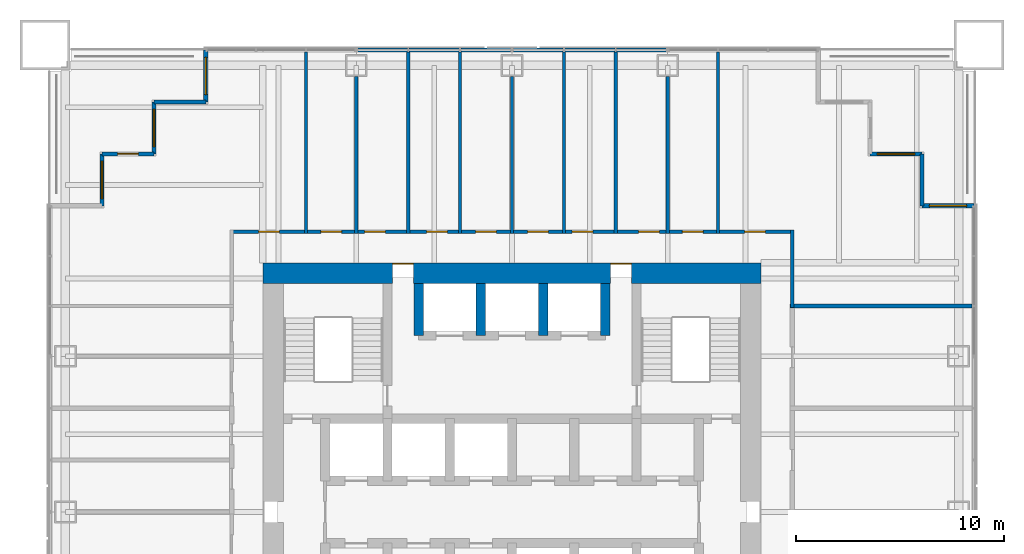
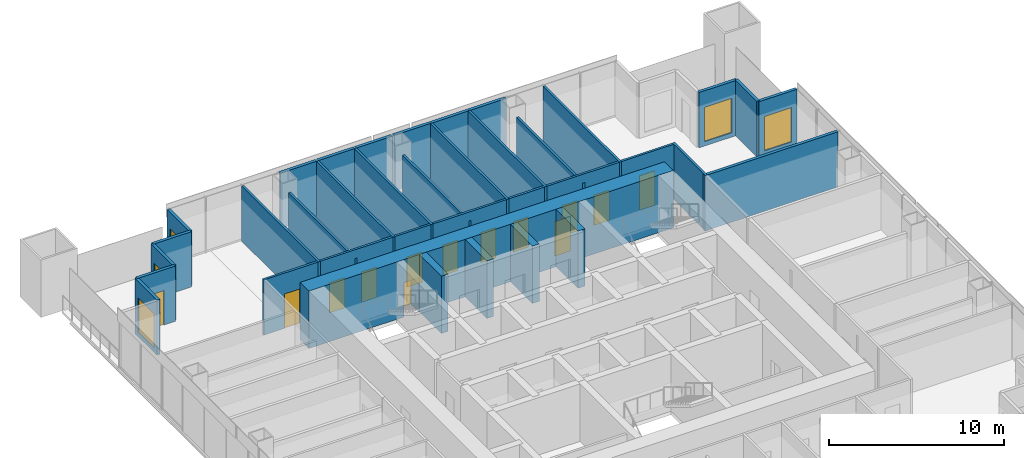
# One storey, part 11 of 14: 31 walls, 13 doors, 5 windows, 18 openings.
"""IFC4 building model written with IfcOpenShell, lengths in metres."""

from ifc_helpers import new_model, si_unit, direction, frame, frame_2d, origin, place, context, subcontext, project, spatial, rectangle, extrude, material, layer, layer_set, type_object, element, fill, save


model = new_model("IFC4")

# Units and contexts
model_context = context("Model", 3, precision=1e-05, world=origin(), true_north=direction((0.0, 1.0)))
body_context = subcontext(model_context, "Body", "Model", "MODEL_VIEW")
ifc_project = project(units=[si_unit("LENGTHUNIT", "METRE"), si_unit("AREAUNIT", "SQUARE_METRE"), si_unit("VOLUMEUNIT", "CUBIC_METRE"), si_unit("PLANEANGLEUNIT", "RADIAN"), si_unit("MASSUNIT", "GRAM", prefix="KILO")], contexts=[model_context])

# Site, building, storey
site_placement = place(None, origin())
site = spatial("IfcSite", under=ifc_project, at=site_placement, CompositionType="ELEMENT")
building_placement = place(site_placement, origin())
building = spatial("IfcBuilding", under=site, at=building_placement, Name="Tarangal Relay Tower", CompositionType="ELEMENT")
storey_placement = place(building_placement, frame((0.0, 0.0, 229.89990234375)))
storey = spatial("IfcBuildingStorey", under=building, at=storey_placement, Name="L49", CompositionType="ELEMENT", Elevation=229.89990234375)

# Walls
ifc_material_1 = material(Name="Two layers gypsum board each side on twin steel studs, mineral wool", Category="steel")
ifc_layer_1 = layer(ifc_material_1, 0.199951171875)
ifc_layer_set_1 = layer_set([ifc_layer_1], Name="Acoustic partition 200")
wall_type_1 = type_object("IfcWallType", Name="Acoustic partition 200", PredefinedType="PARTITIONING", material=ifc_layer_set_1)
wall_1_placement = place(storey_placement, frame((13.39990234375, 9.9169921875, 0.0), z_axis=(0.0, 0.0, 1.0), x_axis=(1.0, 0.0, 0.0)))
element("IfcWall", 1, at=wall_1_placement, inside=storey, type_object=wall_type_1, Name="Partition PT2 L49", PredefinedType="PARTITIONING", context=body_context, shape_type="SweptSolid", body=[
    extrude(rectangle(XDim=8.75, YDim=0.199951171875, at=frame_2d((4.375, 0.0))), origin(), (0.0, 0.0, 1.0), 3.85009765625),
])
ifc_material_2 = material(Name="Concrete fc' 60 MPa", Category="concrete")
ifc_layer_2 = layer(ifc_material_2, 0.449951171875)
ifc_layer_set_2 = layer_set([ifc_layer_2], Name="Core inner wall 450")
wall_type_2 = type_object("IfcWallType", Name="Core inner wall 450", PredefinedType="SHEAR", material=ifc_layer_set_2)
for number, where, z_axis, x_axis, name in (
    (2, (-4.5, 8.5, 0.0), (0.0, 0.0, 1.0), (0.0, 1.0, 0.0), "Core wall XM45 L49"),
    (3, (4.5, 8.5, 0.0), (0.0, 0.0, 1.0), (0.0, 1.0, 0.0), "Core wall X45 L49"),
    (4, (-1.5, 8.5, 0.0), (0.0, 0.0, 1.0), (0.0, 1.0, 0.0), "Core wall XM15 L49"),
    (5, (1.5, 8.5, 0.0), (0.0, 0.0, 1.0), (0.0, 1.0, 0.0), "Core wall X15 L49"),
):
    element("IfcWall", number, at=place(storey_placement, frame(where, z_axis=z_axis, x_axis=x_axis)), inside=storey, type_object=wall_type_2, Name=name, PredefinedType="SHEAR", context=body_context, shape_type="SweptSolid", body=[
        extrude(rectangle(XDim=2.5, YDim=0.449951171875, at=frame_2d((1.25, 0.0))), origin(), (0.0, 0.0, 1.0), 4.0),
    ])

# Wall, openings, doors
ifc_layer_3 = layer(ifc_material_2, 1.0)
ifc_layer_set_3 = layer_set([ifc_layer_3], Name="Core wall 1000")
wall_type_3 = type_object("IfcWallType", Name="Core wall 1000", PredefinedType="SHEAR", material=ifc_layer_set_3)
wall_2_placement = place(storey_placement, frame((-12.0, 11.5, 0.0), z_axis=(0.0, 0.0, 1.0), x_axis=(1.0, 0.0, 0.0)))
wall_2 = element("IfcWall", 6, at=wall_2_placement, inside=storey, type_object=wall_type_3, Name="Core wall N L49", PredefinedType="SHEAR", context=body_context, shape_type="SweptSolid", body=[
    extrude(rectangle(XDim=24.0, YDim=1.0, at=frame_2d((12.0, 0.0))), origin(), (0.0, 0.0, 1.0), 4.0),
])
opening_1_placement = place(wall_2_placement, frame((6.25, 0.0, 0.0)))
opening_1 = element("IfcOpeningElement", 7, at=opening_1_placement, cuts=wall_2, Name="Opening FD3", PredefinedType="OPENING", context=body_context, shape_type="SweptSolid", body=[
    extrude(rectangle(XDim=1.0, YDim=2.39990234375, at=frame_2d((0.5, 1.199951171875))), frame((0.0, 0.510009765625, 0.0), z_axis=(0.0, -1.0, 0.0), x_axis=(1.0, 0.0, 0.0)), (0.0, 0.0, 1.0), 1.02001953125),
])
opening_2_placement = place(wall_2_placement, frame((16.75, 0.0, 0.0)))
opening_2 = element("IfcOpeningElement", 8, at=opening_2_placement, cuts=wall_2, Name="Opening FD3", PredefinedType="OPENING", context=body_context, shape_type="SweptSolid", body=[
    extrude(rectangle(XDim=1.0, YDim=2.39990234375, at=frame_2d((0.5, 1.199951171875))), frame((0.0, 0.510009765625, 0.0), z_axis=(0.0, -1.0, 0.0), x_axis=(1.0, 0.0, 0.0)), (0.0, 0.0, 1.0), 1.02001953125),
])
ifc_material_3 = material(Name="Steel door with hardwood frame", Category="steel")
door_type_1 = type_object("IfcDoorType", Name="Fire door 1000 x 2400 core entry", OperationType="SINGLE_SWING_RIGHT", PredefinedType="DOOR", material=ifc_material_3)
door_1_placement = place(opening_1_placement, origin())
door_1 = element("IfcDoor", 9, at=door_1_placement, inside=storey, type_object=door_type_1, Name="Core entry door north west L49", OperationType="SINGLE_SWING_RIGHT", OverallHeight=2.39990234375, OverallWidth=1.0, PredefinedType="DOOR", context=body_context, shape_type="SweptSolid", body=[
    extrude(rectangle(XDim=1.0, YDim=2.39990234375, at=frame_2d((0.5, 1.199951171875))), frame((0.0, 0.48486328125, 0.0), z_axis=(0.0, -1.0, 0.0), x_axis=(1.0, 0.0, 0.0)), (0.0, 0.0, 1.0), 0.050048828125),
])
fill(opening_1, door_1)
door_2_placement = place(opening_2_placement, origin())
door_2 = element("IfcDoor", 10, at=door_2_placement, inside=storey, type_object=door_type_1, Name="Core entry door north east L49", OperationType="SINGLE_SWING_RIGHT", OverallHeight=2.39990234375, OverallWidth=1.0, PredefinedType="DOOR", context=body_context, shape_type="SweptSolid", body=[
    extrude(rectangle(XDim=1.0, YDim=2.39990234375, at=frame_2d((0.5, 1.199951171875))), frame((0.0, 0.48486328125, 0.0), z_axis=(0.0, -1.0, 0.0), x_axis=(1.0, 0.0, 0.0)), (0.0, 0.0, 1.0), 0.050048828125),
])
fill(opening_2, door_2)

# Wall, opening, window
ifc_material_4 = material(Name="Black metal clad insulated wall", Category="steel")
ifc_layer_4 = layer(ifc_material_4, 0.199951171875)
ifc_layer_set_4 = layer_set([ifc_layer_4], Name="Corner wall metal clad 200")
wall_type_4 = type_object("IfcWallType", Name="Corner wall metal clad 200", PredefinedType="SOLIDWALL", material=ifc_layer_set_4)
wall_3_placement = place(storey_placement, frame((17.25, 17.25, 0.0), z_axis=(0.0, 0.0, 1.0), x_axis=(1.0, 0.0, 0.0)))
wall_3 = element("IfcWall", 11, at=wall_3_placement, inside=storey, type_object=wall_type_4, Name="Facade wall N facade L49", PredefinedType="SOLIDWALL", context=body_context, shape_type="SweptSolid", body=[
    extrude(rectangle(XDim=2.5, YDim=0.199951171875, at=frame_2d((1.25, 0.0))), origin(), (0.0, 0.0, 1.0), 3.85009765625),
])
opening_3_placement = place(wall_3_placement, frame((0.35009765625, 0.0, 0.300048828125)))
opening_3 = element("IfcOpeningElement", 12, at=opening_3_placement, cuts=wall_3, Name="Opening WN2", PredefinedType="OPENING", context=body_context, shape_type="SweptSolid", body=[
    extrude(rectangle(XDim=1.800048828125, YDim=2.39990234375, at=frame_2d((0.89990234375, 1.199951171875))), frame((0.0, 0.10986328125, 0.0), z_axis=(0.0, -1.0, 0.0), x_axis=(1.0, 0.0, 0.0)), (0.0, 0.0, 1.0), 0.219970703125),
])
ifc_material_5 = material(Name="Dark tinted double glazing in black aluminium frame", Category="aluminium")
window_type = type_object("IfcWindowType", Name="Corner window 1800 x 2400", PartitioningType="SINGLE_PANEL", PredefinedType="WINDOW", material=ifc_material_5)
window_1_placement = place(opening_3_placement, origin())
window_1 = element("IfcWindow", 13, at=window_1_placement, inside=storey, type_object=window_type, Name="Corner window WN2 N facade L49", OverallHeight=2.39990234375, OverallWidth=1.800048828125, PartitioningType="SINGLE_PANEL", PredefinedType="WINDOW", context=body_context, shape_type="SweptSolid", body=[
    extrude(rectangle(XDim=1.800048828125, YDim=2.39990234375, at=frame_2d((0.89990234375, 1.199951171875))), frame((0.0, 0.030029296875, 0.0), z_axis=(0.0, -1.0, 0.0), x_axis=(1.0, 0.0, 0.0)), (0.0, 0.0, 1.0), 0.06005859375),
])
fill(opening_3, window_1)

# Wall
wall_4_placement = place(storey_placement, frame((19.75, 17.25, 0.0), z_axis=(0.0, 0.0, 1.0), x_axis=(0.0, -1.0, 0.0)))
element("IfcWall", 14, at=wall_4_placement, inside=storey, type_object=wall_type_4, Name="Facade wall N facade L49", PredefinedType="SOLIDWALL", context=body_context, shape_type="SweptSolid", body=[
    extrude(rectangle(XDim=2.5, YDim=0.199951171875, at=frame_2d((1.25, 0.0))), origin(), (0.0, 0.0, 1.0), 3.85009765625),
])

# Wall, opening, window
wall_5_placement = place(storey_placement, frame((19.75, 14.75, 0.0), z_axis=(0.0, 0.0, 1.0), x_axis=(1.0, 0.0, 0.0)))
wall_5 = element("IfcWall", 15, at=wall_5_placement, inside=storey, type_object=wall_type_4, Name="Facade wall N facade L49", PredefinedType="SOLIDWALL", context=body_context, shape_type="SweptSolid", body=[
    extrude(rectangle(XDim=2.5, YDim=0.199951171875, at=frame_2d((1.25, 0.0))), origin(), (0.0, 0.0, 1.0), 3.85009765625),
])
opening_4_placement = place(wall_5_placement, frame((0.35009765625, 0.0, 0.300048828125)))
opening_4 = element("IfcOpeningElement", 16, at=opening_4_placement, cuts=wall_5, Name="Opening WN2", PredefinedType="OPENING", context=body_context, shape_type="SweptSolid", body=[
    extrude(rectangle(XDim=1.800048828125, YDim=2.39990234375, at=frame_2d((0.89990234375, 1.199951171875))), frame((0.0, 0.10986328125, 0.0), z_axis=(0.0, -1.0, 0.0), x_axis=(1.0, 0.0, 0.0)), (0.0, 0.0, 1.0), 0.219970703125),
])
window_2_placement = place(opening_4_placement, origin())
window_2 = element("IfcWindow", 17, at=window_2_placement, inside=storey, type_object=window_type, Name="Corner window WN2 N facade L49", OverallHeight=2.39990234375, OverallWidth=1.800048828125, PartitioningType="SINGLE_PANEL", PredefinedType="WINDOW", context=body_context, shape_type="SweptSolid", body=[
    extrude(rectangle(XDim=1.800048828125, YDim=2.39990234375, at=frame_2d((0.89990234375, 1.199951171875))), frame((0.0, 0.030029296875, 0.0), z_axis=(0.0, -1.0, 0.0), x_axis=(1.0, 0.0, 0.0)), (0.0, 0.0, 1.0), 0.06005859375),
])
fill(opening_4, window_2)

wall_6_placement = place(storey_placement, frame((-19.75, 14.75, 0.0), z_axis=(0.0, 0.0, 1.0), x_axis=(0.0, 1.0, 0.0)))
wall_6 = element("IfcWall", 18, at=wall_6_placement, inside=storey, type_object=wall_type_4, Name="Facade wall W facade L49", PredefinedType="SOLIDWALL", context=body_context, shape_type="SweptSolid", body=[
    extrude(rectangle(XDim=2.5, YDim=0.199951171875, at=frame_2d((1.25, 0.0))), origin(), (0.0, 0.0, 1.0), 3.85009765625),
])
opening_5_placement = place(wall_6_placement, frame((0.35009765625, 0.0, 0.300048828125)))
opening_5 = element("IfcOpeningElement", 19, at=opening_5_placement, cuts=wall_6, Name="Opening WN2", PredefinedType="OPENING", context=body_context, shape_type="SweptSolid", body=[
    extrude(rectangle(XDim=1.800048828125, YDim=2.39990234375, at=frame_2d((0.89990234375, 1.199951171875))), frame((0.0, 0.10986328125, 0.0), z_axis=(0.0, -1.0, 0.0), x_axis=(1.0, 0.0, 0.0)), (0.0, 0.0, 1.0), 0.219970703125),
])
window_3_placement = place(opening_5_placement, origin())
window_3 = element("IfcWindow", 20, at=window_3_placement, inside=storey, type_object=window_type, Name="Corner window WN2 W facade L49", OverallHeight=2.39990234375, OverallWidth=1.800048828125, PartitioningType="SINGLE_PANEL", PredefinedType="WINDOW", context=body_context, shape_type="SweptSolid", body=[
    extrude(rectangle(XDim=1.800048828125, YDim=2.39990234375, at=frame_2d((0.89990234375, 1.199951171875))), frame((0.0, 0.030029296875, 0.0), z_axis=(0.0, -1.0, 0.0), x_axis=(1.0, 0.0, 0.0)), (0.0, 0.0, 1.0), 0.06005859375),
])
fill(opening_5, window_3)

# Wall, opening, door
wall_7_placement = place(storey_placement, frame((-19.75, 17.25, 0.0), z_axis=(0.0, 0.0, 1.0), x_axis=(1.0, 0.0, 0.0)))
wall_7 = element("IfcWall", 21, at=wall_7_placement, inside=storey, type_object=wall_type_4, Name="Facade wall W facade L49", PredefinedType="SOLIDWALL", context=body_context, shape_type="SweptSolid", body=[
    extrude(rectangle(XDim=2.5, YDim=0.199951171875, at=frame_2d((1.25, 0.0))), origin(), (0.0, 0.0, 1.0), 3.85009765625),
])
opening_6_placement = place(wall_7_placement, frame((0.75, 0.0, 0.0)))
opening_6 = element("IfcOpeningElement", 22, at=opening_6_placement, cuts=wall_7, Name="Opening TD1", PredefinedType="OPENING", context=body_context, shape_type="SweptSolid", body=[
    extrude(rectangle(XDim=1.0, YDim=2.39990234375, at=frame_2d((0.5, 1.199951171875))), frame((0.0, 0.10986328125, 0.0), z_axis=(0.0, -1.0, 0.0), x_axis=(1.0, 0.0, 0.0)), (0.0, 0.0, 1.0), 0.219970703125),
])
ifc_material_6 = material(Name="Aluminium glazed door", Category="aluminium")
door_type_2 = type_object("IfcDoorType", Name="Terrace door 1000 x 2400", OperationType="SINGLE_SWING_RIGHT", PredefinedType="DOOR", material=ifc_material_6)
door_3_placement = place(opening_6_placement, origin())
door_3 = element("IfcDoor", 23, at=door_3_placement, inside=storey, type_object=door_type_2, Name="Terrace door TD1 NW L49", OperationType="SINGLE_SWING_RIGHT", OverallHeight=2.39990234375, OverallWidth=1.0, PredefinedType="DOOR", context=body_context, shape_type="SweptSolid", body=[
    extrude(rectangle(XDim=1.0, YDim=2.39990234375, at=frame_2d((0.5, 1.199951171875))), frame((0.0, 0.02490234375, 0.0), z_axis=(0.0, -1.0, 0.0), x_axis=(1.0, 0.0, 0.0)), (0.0, 0.0, 1.0), 0.050048828125),
])
fill(opening_6, door_3)

# Wall, opening, window
wall_8_placement = place(storey_placement, frame((-17.25, 17.25, 0.0), z_axis=(0.0, 0.0, 1.0), x_axis=(0.0, 1.0, 0.0)))
wall_8 = element("IfcWall", 24, at=wall_8_placement, inside=storey, type_object=wall_type_4, Name="Facade wall W facade L49", PredefinedType="SOLIDWALL", context=body_context, shape_type="SweptSolid", body=[
    extrude(rectangle(XDim=2.5, YDim=0.199951171875, at=frame_2d((1.25, 0.0))), origin(), (0.0, 0.0, 1.0), 3.85009765625),
])
opening_7_placement = place(wall_8_placement, frame((0.35009765625, 0.0, 0.300048828125)))
opening_7 = element("IfcOpeningElement", 25, at=opening_7_placement, cuts=wall_8, Name="Opening WN2", PredefinedType="OPENING", context=body_context, shape_type="SweptSolid", body=[
    extrude(rectangle(XDim=1.800048828125, YDim=2.39990234375, at=frame_2d((0.89990234375, 1.199951171875))), frame((0.0, 0.10986328125, 0.0), z_axis=(0.0, -1.0, 0.0), x_axis=(1.0, 0.0, 0.0)), (0.0, 0.0, 1.0), 0.219970703125),
])
window_4_placement = place(opening_7_placement, origin())
window_4 = element("IfcWindow", 26, at=window_4_placement, inside=storey, type_object=window_type, Name="Corner window WN2 W facade L49", OverallHeight=2.39990234375, OverallWidth=1.800048828125, PartitioningType="SINGLE_PANEL", PredefinedType="WINDOW", context=body_context, shape_type="SweptSolid", body=[
    extrude(rectangle(XDim=1.800048828125, YDim=2.39990234375, at=frame_2d((0.89990234375, 1.199951171875))), frame((0.0, 0.030029296875, 0.0), z_axis=(0.0, -1.0, 0.0), x_axis=(1.0, 0.0, 0.0)), (0.0, 0.0, 1.0), 0.06005859375),
])
fill(opening_7, window_4)

# Wall
wall_9_placement = place(storey_placement, frame((-17.25, 19.75, 0.0), z_axis=(0.0, 0.0, 1.0), x_axis=(1.0, 0.0, 0.0)))
element("IfcWall", 27, at=wall_9_placement, inside=storey, type_object=wall_type_4, Name="Facade wall W facade L49", PredefinedType="SOLIDWALL", context=body_context, shape_type="SweptSolid", body=[
    extrude(rectangle(XDim=2.5, YDim=0.199951171875, at=frame_2d((1.25, 0.0))), origin(), (0.0, 0.0, 1.0), 3.85009765625),
])

# Wall, opening, window
wall_10_placement = place(storey_placement, frame((-14.75, 19.75, 0.0), z_axis=(0.0, 0.0, 1.0), x_axis=(0.0, 1.0, 0.0)))
wall_10 = element("IfcWall", 28, at=wall_10_placement, inside=storey, type_object=wall_type_4, Name="Facade wall W facade L49", PredefinedType="SOLIDWALL", context=body_context, shape_type="SweptSolid", body=[
    extrude(rectangle(XDim=2.5, YDim=0.199951171875, at=frame_2d((1.25, 0.0))), origin(), (0.0, 0.0, 1.0), 3.85009765625),
])
opening_8_placement = place(wall_10_placement, frame((0.35009765625, 0.0, 0.300048828125)))
opening_8 = element("IfcOpeningElement", 29, at=opening_8_placement, cuts=wall_10, Name="Opening WN2", PredefinedType="OPENING", context=body_context, shape_type="SweptSolid", body=[
    extrude(rectangle(XDim=1.800048828125, YDim=2.39990234375, at=frame_2d((0.89990234375, 1.199951171875))), frame((0.0, 0.10986328125, 0.0), z_axis=(0.0, -1.0, 0.0), x_axis=(1.0, 0.0, 0.0)), (0.0, 0.0, 1.0), 0.219970703125),
])
window_5_placement = place(opening_8_placement, origin())
window_5 = element("IfcWindow", 30, at=window_5_placement, inside=storey, type_object=window_type, Name="Corner window WN2 W facade L49", OverallHeight=2.39990234375, OverallWidth=1.800048828125, PartitioningType="SINGLE_PANEL", PredefinedType="WINDOW", context=body_context, shape_type="SweptSolid", body=[
    extrude(rectangle(XDim=1.800048828125, YDim=2.39990234375, at=frame_2d((0.89990234375, 1.199951171875))), frame((0.0, 0.030029296875, 0.0), z_axis=(0.0, -1.0, 0.0), x_axis=(1.0, 0.0, 0.0)), (0.0, 0.0, 1.0), 0.06005859375),
])
fill(opening_8, window_5)

# Walls
ifc_layer_5 = layer(ifc_material_4, 0.199951171875)
ifc_layer_set_5 = layer_set([ifc_layer_5], Name="Facade infill wall metal clad 200")
wall_type_5 = type_object("IfcWallType", Name="Facade infill wall metal clad 200", PredefinedType="SOLIDWALL", material=ifc_layer_set_5)
wall_11_placement = place(storey_placement, frame((-7.43505859375, 22.25, 0.0), z_axis=(0.0, 0.0, 1.0), x_axis=(1.0, 0.0, 0.0)))
element("IfcWall", 31, at=wall_11_placement, inside=storey, type_object=wall_type_5, Name="Facade infill wall N facade L49 1.1", PredefinedType="SOLIDWALL", context=body_context, shape_type="SweptSolid", body=[
    extrude(rectangle(XDim=2.402587890625, YDim=0.199951171875, at=frame_2d((1.201171875, 0.0))), origin(), (0.0, 0.0, 1.0), 3.85009765625),
])
wall_12_placement = place(storey_placement, frame((-4.967529296875, 22.25, 0.0), z_axis=(0.0, 0.0, 1.0), x_axis=(1.0, 0.0, 0.0)))
element("IfcWall", 32, at=wall_12_placement, inside=storey, type_object=wall_type_5, Name="Facade infill wall N facade L49 2.1", PredefinedType="SOLIDWALL", context=body_context, shape_type="SweptSolid", body=[
    extrude(rectangle(XDim=2.43505859375, YDim=0.199951171875, at=frame_2d((1.217529296875, 0.0))), origin(), (0.0, 0.0, 1.0), 3.85009765625),
])
for number, where, z_axis, x_axis, name in (
    (33, (-2.467529296875, 22.25, 0.0), (0.0, 0.0, 1.0), (1.0, 0.0, 0.0), "Facade infill wall N facade L49 3.1"),
    (34, (0.06494140625, 22.25, 0.0), (0.0, 0.0, 1.0), (1.0, 0.0, 0.0), "Facade infill wall N facade L49 1.1"),
):
    element("IfcWall", number, at=place(storey_placement, frame(where, z_axis=z_axis, x_axis=x_axis)), inside=storey, type_object=wall_type_5, Name=name, PredefinedType="SOLIDWALL", context=body_context, shape_type="SweptSolid", body=[
        extrude(rectangle(XDim=2.402587890625, YDim=0.199951171875, at=frame_2d((1.201171875, 0.0))), origin(), (0.0, 0.0, 1.0), 3.85009765625),
    ])
wall_13_placement = place(storey_placement, frame((2.532470703125, 22.25, 0.0), z_axis=(0.0, 0.0, 1.0), x_axis=(1.0, 0.0, 0.0)))
element("IfcWall", 35, at=wall_13_placement, inside=storey, type_object=wall_type_5, Name="Facade infill wall N facade L49 2.1", PredefinedType="SOLIDWALL", context=body_context, shape_type="SweptSolid", body=[
    extrude(rectangle(XDim=2.43505859375, YDim=0.199951171875, at=frame_2d((1.217529296875, 0.0))), origin(), (0.0, 0.0, 1.0), 3.85009765625),
])
wall_14_placement = place(storey_placement, frame((5.032470703125, 22.25, 0.0), z_axis=(0.0, 0.0, 1.0), x_axis=(1.0, 0.0, 0.0)))
element("IfcWall", 36, at=wall_14_placement, inside=storey, type_object=wall_type_5, Name="Facade infill wall N facade L49 3.1", PredefinedType="SOLIDWALL", context=body_context, shape_type="SweptSolid", body=[
    extrude(rectangle(XDim=2.402587890625, YDim=0.199951171875, at=frame_2d((1.201171875, 0.0))), origin(), (0.0, 0.0, 1.0), 3.85009765625),
])

# Wall, openings, doors
ifc_material_7 = material(Name="Gypsum board on steel studs", Category="steel")
ifc_layer_6 = layer(ifc_material_7, 0.14990234375)
ifc_layer_set_6 = layer_set([ifc_layer_6], Name="Partition 150")
wall_type_6 = type_object("IfcWallType", Name="Partition 150", PredefinedType="PARTITIONING", material=ifc_layer_set_6)
wall_15_placement = place(storey_placement, frame((-13.574951171875, 13.5, 0.0), z_axis=(0.0, 0.0, 1.0), x_axis=(1.0, 0.0, 0.0)))
wall_15 = element("IfcWall", 37, at=wall_15_placement, inside=storey, type_object=wall_type_6, Name="Partition PT1 L49", PredefinedType="PARTITIONING", context=body_context, shape_type="SweptSolid", body=[
    extrude(rectangle(XDim=27.14990234375, YDim=0.14990234375, at=frame_2d((13.574951171875, 0.0))), origin(), (0.0, 0.0, 1.0), 3.85009765625),
])
opening_9_placement = place(wall_15_placement, frame((4.366455078125, 0.0, 0.0)))
opening_9 = element("IfcOpeningElement", 38, at=opening_9_placement, cuts=wall_15, Name="Opening D2", PredefinedType="OPENING", context=body_context, shape_type="SweptSolid", body=[
    extrude(rectangle(XDim=1.0, YDim=2.10009765625, at=frame_2d((0.5, 1.050048828125))), frame((0.0, 0.0849609375, 0.0), z_axis=(0.0, -1.0, 0.0), x_axis=(1.0, 0.0, 0.0)), (0.0, 0.0, 1.0), 0.169921875),
])
opening_10_placement = place(wall_15_placement, frame((6.47509765625, 0.0, 0.0)))
opening_10 = element("IfcOpeningElement", 39, at=opening_10_placement, cuts=wall_15, Name="Opening D2", PredefinedType="OPENING", context=body_context, shape_type="SweptSolid", body=[
    extrude(rectangle(XDim=1.0, YDim=2.10009765625, at=frame_2d((0.5, 1.050048828125))), frame((0.0, 0.0849609375, 0.0), z_axis=(0.0, -1.0, 0.0), x_axis=(1.0, 0.0, 0.0)), (0.0, 0.0, 1.0), 0.169921875),
])
opening_11_placement = place(wall_15_placement, frame((9.465087890625, 0.0, 0.0)))
opening_11 = element("IfcOpeningElement", 40, at=opening_11_placement, cuts=wall_15, Name="Opening D2", PredefinedType="OPENING", context=body_context, shape_type="SweptSolid", body=[
    extrude(rectangle(XDim=1.0, YDim=2.10009765625, at=frame_2d((0.5, 1.050048828125))), frame((0.0, 0.0849609375, 0.0), z_axis=(0.0, -1.0, 0.0), x_axis=(1.0, 0.0, 0.0)), (0.0, 0.0, 1.0), 0.169921875),
])
opening_12_placement = place(wall_15_placement, frame((11.824951171875, 0.0, 0.0)))
opening_12 = element("IfcOpeningElement", 41, at=opening_12_placement, cuts=wall_15, Name="Opening D2", PredefinedType="OPENING", context=body_context, shape_type="SweptSolid", body=[
    extrude(rectangle(XDim=1.0, YDim=2.10009765625, at=frame_2d((0.5, 1.050048828125))), frame((0.0, 0.0849609375, 0.0), z_axis=(0.0, -1.0, 0.0), x_axis=(1.0, 0.0, 0.0)), (0.0, 0.0, 1.0), 0.169921875),
])
opening_13_placement = place(wall_15_placement, frame((14.324951171875, 0.0, 0.0)))
opening_13 = element("IfcOpeningElement", 42, at=opening_13_placement, cuts=wall_15, Name="Opening D2", PredefinedType="OPENING", context=body_context, shape_type="SweptSolid", body=[
    extrude(rectangle(XDim=1.0, YDim=2.10009765625, at=frame_2d((0.5, 1.050048828125))), frame((0.0, 0.0849609375, 0.0), z_axis=(0.0, -1.0, 0.0), x_axis=(1.0, 0.0, 0.0)), (0.0, 0.0, 1.0), 0.169921875),
])
opening_14_placement = place(wall_15_placement, frame((16.47509765625, 0.0, 0.0)))
opening_14 = element("IfcOpeningElement", 43, at=opening_14_placement, cuts=wall_15, Name="Opening D2", PredefinedType="OPENING", context=body_context, shape_type="SweptSolid", body=[
    extrude(rectangle(XDim=1.0, YDim=2.10009765625, at=frame_2d((0.5, 1.050048828125))), frame((0.0, 0.0849609375, 0.0), z_axis=(0.0, -1.0, 0.0), x_axis=(1.0, 0.0, 0.0)), (0.0, 0.0, 1.0), 0.169921875),
])
opening_15_placement = place(wall_15_placement, frame((19.675048828125, 0.0, 0.0)))
opening_15 = element("IfcOpeningElement", 44, at=opening_15_placement, cuts=wall_15, Name="Opening D2", PredefinedType="OPENING", context=body_context, shape_type="SweptSolid", body=[
    extrude(rectangle(XDim=1.0, YDim=2.10009765625, at=frame_2d((0.5, 1.050048828125))), frame((0.0, 0.0849609375, 0.0), z_axis=(0.0, -1.0, 0.0), x_axis=(1.0, 0.0, 0.0)), (0.0, 0.0, 1.0), 0.169921875),
])
opening_16_placement = place(wall_15_placement, frame((21.783447265625, 0.0, 0.0)))
opening_16 = element("IfcOpeningElement", 45, at=opening_16_placement, cuts=wall_15, Name="Opening D2", PredefinedType="OPENING", context=body_context, shape_type="SweptSolid", body=[
    extrude(rectangle(XDim=1.0, YDim=2.10009765625, at=frame_2d((0.5, 1.050048828125))), frame((0.0, 0.0849609375, 0.0), z_axis=(0.0, -1.0, 0.0), x_axis=(1.0, 0.0, 0.0)), (0.0, 0.0, 1.0), 0.169921875),
])
opening_17_placement = place(wall_15_placement, frame((24.783447265625, 0.0, 0.0)))
opening_17 = element("IfcOpeningElement", 46, at=opening_17_placement, cuts=wall_15, Name="Opening SD1", PredefinedType="OPENING", context=body_context, shape_type="SweptSolid", body=[
    extrude(rectangle(XDim=1.0, YDim=2.39990234375, at=frame_2d((0.5, 1.199951171875))), frame((0.0, 0.0849609375, 0.0), z_axis=(0.0, -1.0, 0.0), x_axis=(1.0, 0.0, 0.0)), (0.0, 0.0, 1.0), 0.169921875),
])
opening_18_placement = place(wall_15_placement, frame((1.366455078125, 0.0, 0.0)))
opening_18 = element("IfcOpeningElement", 47, at=opening_18_placement, cuts=wall_15, Name="Opening SD1", PredefinedType="OPENING", context=body_context, shape_type="SweptSolid", body=[
    extrude(rectangle(XDim=1.0, YDim=2.39990234375, at=frame_2d((0.5, 1.199951171875))), frame((0.0, 0.0849609375, 0.0), z_axis=(0.0, -1.0, 0.0), x_axis=(1.0, 0.0, 0.0)), (0.0, 0.0, 1.0), 0.169921875),
])
ifc_material_8 = material(Name="Hardwood door", Category="wood")
door_type_3 = type_object("IfcDoorType", Name="Door 1000 x 2100", OperationType="SINGLE_SWING_LEFT", PredefinedType="DOOR", material=ifc_material_8)
door_4_placement = place(opening_9_placement, origin())
door_4 = element("IfcDoor", 48, at=door_4_placement, inside=storey, type_object=door_type_3, Name="Door D2 to cellular office L49-02", OperationType="SINGLE_SWING_LEFT", OverallHeight=2.10009765625, OverallWidth=1.0, PredefinedType="DOOR", context=body_context, shape_type="SweptSolid", body=[
    extrude(rectangle(XDim=1.0, YDim=2.10009765625, at=frame_2d((0.5, 1.050048828125))), frame((0.0, 0.02490234375, 0.0), z_axis=(0.0, -1.0, 0.0), x_axis=(1.0, 0.0, 0.0)), (0.0, 0.0, 1.0), 0.050048828125),
])
fill(opening_9, door_4)
door_5_placement = place(opening_10_placement, origin())
door_5 = element("IfcDoor", 49, at=door_5_placement, inside=storey, type_object=door_type_3, Name="Door D2 to cellular office L49-03", OperationType="SINGLE_SWING_LEFT", OverallHeight=2.10009765625, OverallWidth=1.0, PredefinedType="DOOR", context=body_context, shape_type="SweptSolid", body=[
    extrude(rectangle(XDim=1.0, YDim=2.10009765625, at=frame_2d((0.5, 1.050048828125))), frame((0.0, 0.02490234375, 0.0), z_axis=(0.0, -1.0, 0.0), x_axis=(1.0, 0.0, 0.0)), (0.0, 0.0, 1.0), 0.050048828125),
])
fill(opening_10, door_5)
door_6_placement = place(opening_11_placement, origin())
door_6 = element("IfcDoor", 50, at=door_6_placement, inside=storey, type_object=door_type_3, Name="Door D2 to cellular office L49-04", OperationType="SINGLE_SWING_LEFT", OverallHeight=2.10009765625, OverallWidth=1.0, PredefinedType="DOOR", context=body_context, shape_type="SweptSolid", body=[
    extrude(rectangle(XDim=1.0, YDim=2.10009765625, at=frame_2d((0.5, 1.050048828125))), frame((0.0, 0.02490234375, 0.0), z_axis=(0.0, -1.0, 0.0), x_axis=(1.0, 0.0, 0.0)), (0.0, 0.0, 1.0), 0.050048828125),
])
fill(opening_11, door_6)
door_7_placement = place(opening_12_placement, origin())
door_7 = element("IfcDoor", 51, at=door_7_placement, inside=storey, type_object=door_type_3, Name="Door D2 to cellular office L49-05", OperationType="SINGLE_SWING_LEFT", OverallHeight=2.10009765625, OverallWidth=1.0, PredefinedType="DOOR", context=body_context, shape_type="SweptSolid", body=[
    extrude(rectangle(XDim=1.0, YDim=2.10009765625, at=frame_2d((0.5, 1.050048828125))), frame((0.0, 0.02490234375, 0.0), z_axis=(0.0, -1.0, 0.0), x_axis=(1.0, 0.0, 0.0)), (0.0, 0.0, 1.0), 0.050048828125),
])
fill(opening_12, door_7)
door_8_placement = place(opening_13_placement, origin())
door_8 = element("IfcDoor", 52, at=door_8_placement, inside=storey, type_object=door_type_3, Name="Door D2 to cellular office L49-06", OperationType="SINGLE_SWING_LEFT", OverallHeight=2.10009765625, OverallWidth=1.0, PredefinedType="DOOR", context=body_context, shape_type="SweptSolid", body=[
    extrude(rectangle(XDim=1.0, YDim=2.10009765625, at=frame_2d((0.5, 1.050048828125))), frame((0.0, 0.02490234375, 0.0), z_axis=(0.0, -1.0, 0.0), x_axis=(1.0, 0.0, 0.0)), (0.0, 0.0, 1.0), 0.050048828125),
])
fill(opening_13, door_8)
door_9_placement = place(opening_14_placement, origin())
door_9 = element("IfcDoor", 53, at=door_9_placement, inside=storey, type_object=door_type_3, Name="Door D2 to cellular office L49-07", OperationType="SINGLE_SWING_LEFT", OverallHeight=2.10009765625, OverallWidth=1.0, PredefinedType="DOOR", context=body_context, shape_type="SweptSolid", body=[
    extrude(rectangle(XDim=1.0, YDim=2.10009765625, at=frame_2d((0.5, 1.050048828125))), frame((0.0, 0.02490234375, 0.0), z_axis=(0.0, -1.0, 0.0), x_axis=(1.0, 0.0, 0.0)), (0.0, 0.0, 1.0), 0.050048828125),
])
fill(opening_14, door_9)
door_10_placement = place(opening_15_placement, origin())
door_10 = element("IfcDoor", 54, at=door_10_placement, inside=storey, type_object=door_type_3, Name="Door D2 to cellular office L49-08", OperationType="SINGLE_SWING_LEFT", OverallHeight=2.10009765625, OverallWidth=1.0, PredefinedType="DOOR", context=body_context, shape_type="SweptSolid", body=[
    extrude(rectangle(XDim=1.0, YDim=2.10009765625, at=frame_2d((0.5, 1.050048828125))), frame((0.0, 0.02490234375, 0.0), z_axis=(0.0, -1.0, 0.0), x_axis=(1.0, 0.0, 0.0)), (0.0, 0.0, 1.0), 0.050048828125),
])
fill(opening_15, door_10)
door_11_placement = place(opening_16_placement, origin())
door_11 = element("IfcDoor", 55, at=door_11_placement, inside=storey, type_object=door_type_3, Name="Door D2 to cellular office L49-09", OperationType="SINGLE_SWING_LEFT", OverallHeight=2.10009765625, OverallWidth=1.0, PredefinedType="DOOR", context=body_context, shape_type="SweptSolid", body=[
    extrude(rectangle(XDim=1.0, YDim=2.10009765625, at=frame_2d((0.5, 1.050048828125))), frame((0.0, 0.02490234375, 0.0), z_axis=(0.0, -1.0, 0.0), x_axis=(1.0, 0.0, 0.0)), (0.0, 0.0, 1.0), 0.050048828125),
])
fill(opening_16, door_11)
door_type_4 = type_object("IfcDoorType", Name="Suite entrance door 1000 x 2400", OperationType="SINGLE_SWING_RIGHT", PredefinedType="DOOR", material=ifc_material_3)
door_12_placement = place(opening_17_placement, origin())
door_12 = element("IfcDoor", 56, at=door_12_placement, inside=storey, type_object=door_type_4, Name="Door SD1 to open plan office L49-31", OperationType="SINGLE_SWING_RIGHT", OverallHeight=2.39990234375, OverallWidth=1.0, PredefinedType="DOOR", context=body_context, shape_type="SweptSolid", body=[
    extrude(rectangle(XDim=1.0, YDim=2.39990234375, at=frame_2d((0.5, 1.199951171875))), frame((0.0, 0.02490234375, 0.0), z_axis=(0.0, -1.0, 0.0), x_axis=(1.0, 0.0, 0.0)), (0.0, 0.0, 1.0), 0.050048828125),
])
fill(opening_17, door_12)
door_13_placement = place(opening_18_placement, origin())
door_13 = element("IfcDoor", 57, at=door_13_placement, inside=storey, type_object=door_type_4, Name="Door SD1 to open plan office L49-34", OperationType="SINGLE_SWING_RIGHT", OverallHeight=2.39990234375, OverallWidth=1.0, PredefinedType="DOOR", context=body_context, shape_type="SweptSolid", body=[
    extrude(rectangle(XDim=1.0, YDim=2.39990234375, at=frame_2d((0.5, 1.199951171875))), frame((0.0, 0.02490234375, 0.0), z_axis=(0.0, -1.0, 0.0), x_axis=(1.0, 0.0, 0.0)), (0.0, 0.0, 1.0), 0.050048828125),
])
fill(opening_18, door_13)

# Walls
wall_16_placement = place(storey_placement, frame((-9.9169921875, 13.425048828125, 0.0), z_axis=(0.0, 0.0, 1.0), x_axis=(0.0, 1.0, 0.0)))
element("IfcWall", 58, at=wall_16_placement, inside=storey, type_object=wall_type_6, Name="Partition PT1 L49", PredefinedType="PARTITIONING", context=body_context, shape_type="SweptSolid", body=[
    extrude(rectangle(XDim=8.724853515625, YDim=0.14990234375, at=frame_2d((4.3623046875, 0.0))), origin(), (0.0, 0.0, 1.0), 3.85009765625),
])
wall_17_placement = place(storey_placement, frame((-7.5, 13.425048828125, 0.0), z_axis=(0.0, 0.0, 1.0), x_axis=(0.0, 1.0, 0.0)))
element("IfcWall", 59, at=wall_17_placement, inside=storey, type_object=wall_type_6, Name="Partition PT1 L49", PredefinedType="PARTITIONING", context=body_context, shape_type="SweptSolid", body=[
    extrude(rectangle(XDim=7.56494140625, YDim=0.14990234375, at=frame_2d((3.782470703125, 0.0))), origin(), (0.0, 0.0, 1.0), 3.238037109375),
])
for number, where, z_axis, x_axis, name in (
    (60, (-5.0, 13.425048828125, 0.0), (0.0, 0.0, 1.0), (0.0, 1.0, 0.0), "Partition PT1 L49"),
    (61, (-2.5, 13.425048828125, 0.0), (0.0, 0.0, 1.0), (0.0, 1.0, 0.0), "Partition PT1 L49"),
):
    element("IfcWall", number, at=place(storey_placement, frame(where, z_axis=z_axis, x_axis=x_axis)), inside=storey, type_object=wall_type_6, Name=name, PredefinedType="PARTITIONING", context=body_context, shape_type="SweptSolid", body=[
        extrude(rectangle(XDim=8.724853515625, YDim=0.14990234375, at=frame_2d((4.3623046875, 0.0))), origin(), (0.0, 0.0, 1.0), 3.85009765625),
    ])
wall_18_placement = place(storey_placement, frame((0.0, 13.425048828125, 0.0), z_axis=(0.0, 0.0, 1.0), x_axis=(0.0, 1.0, 0.0)))
element("IfcWall", 62, at=wall_18_placement, inside=storey, type_object=wall_type_6, Name="Partition PT1 L49", PredefinedType="PARTITIONING", context=body_context, shape_type="SweptSolid", body=[
    extrude(rectangle(XDim=7.56494140625, YDim=0.14990234375, at=frame_2d((3.782470703125, 0.0))), origin(), (0.0, 0.0, 1.0), 3.238037109375),
])
for number, where, z_axis, x_axis, name in (
    (63, (2.5, 13.425048828125, 0.0), (0.0, 0.0, 1.0), (0.0, 1.0, 0.0), "Partition PT1 L49"),
    (64, (5.0, 13.425048828125, 0.0), (0.0, 0.0, 1.0), (0.0, 1.0, 0.0), "Partition PT1 L49"),
):
    element("IfcWall", number, at=place(storey_placement, frame(where, z_axis=z_axis, x_axis=x_axis)), inside=storey, type_object=wall_type_6, Name=name, PredefinedType="PARTITIONING", context=body_context, shape_type="SweptSolid", body=[
        extrude(rectangle(XDim=8.724853515625, YDim=0.14990234375, at=frame_2d((4.3623046875, 0.0))), origin(), (0.0, 0.0, 1.0), 3.85009765625),
    ])
wall_19_placement = place(storey_placement, frame((7.5, 13.425048828125, 0.0), z_axis=(0.0, 0.0, 1.0), x_axis=(0.0, 1.0, 0.0)))
element("IfcWall", 65, at=wall_19_placement, inside=storey, type_object=wall_type_6, Name="Partition PT1 L49", PredefinedType="PARTITIONING", context=body_context, shape_type="SweptSolid", body=[
    extrude(rectangle(XDim=7.56494140625, YDim=0.14990234375, at=frame_2d((3.782470703125, 0.0))), origin(), (0.0, 0.0, 1.0), 3.238037109375),
])
wall_20_placement = place(storey_placement, frame((9.9169921875, 13.425048828125, 0.0), z_axis=(0.0, 0.0, 1.0), x_axis=(0.0, 1.0, 0.0)))
element("IfcWall", 66, at=wall_20_placement, inside=storey, type_object=wall_type_6, Name="Partition PT1 L49", PredefinedType="PARTITIONING", context=body_context, shape_type="SweptSolid", body=[
    extrude(rectangle(XDim=8.724853515625, YDim=0.14990234375, at=frame_2d((4.3623046875, 0.0))), origin(), (0.0, 0.0, 1.0), 3.85009765625),
])
wall_21_placement = place(storey_placement, frame((13.5, 9.842041015625, 0.0), z_axis=(0.0, 0.0, 1.0), x_axis=(0.0, 1.0, 0.0)))
element("IfcWall", 67, at=wall_21_placement, inside=storey, type_object=wall_type_6, Name="Partition PT1 L49", PredefinedType="PARTITIONING", context=body_context, shape_type="SweptSolid", body=[
    extrude(rectangle(XDim=3.73291015625, YDim=0.14990234375, at=frame_2d((1.866455078125, 0.0))), origin(), (0.0, 0.0, 1.0), 3.85009765625),
])

save(model, "model.ifc")
